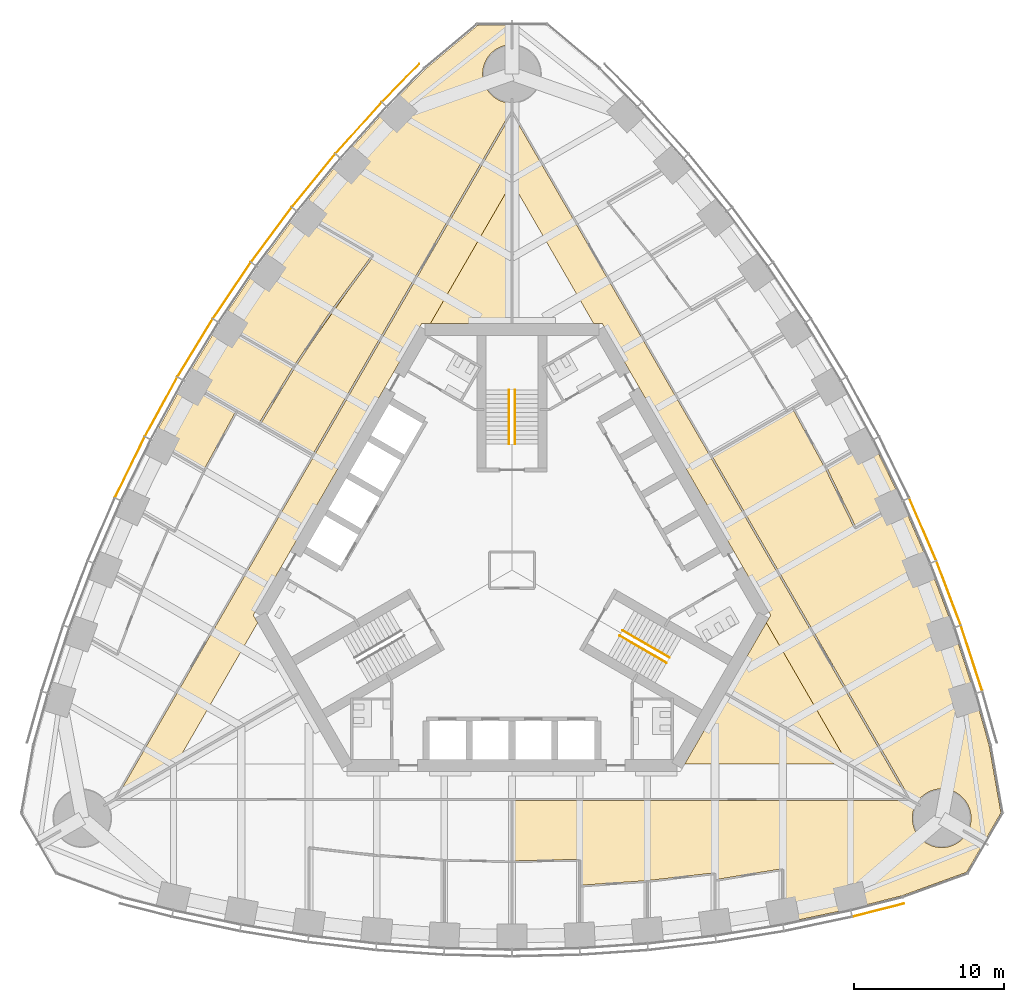
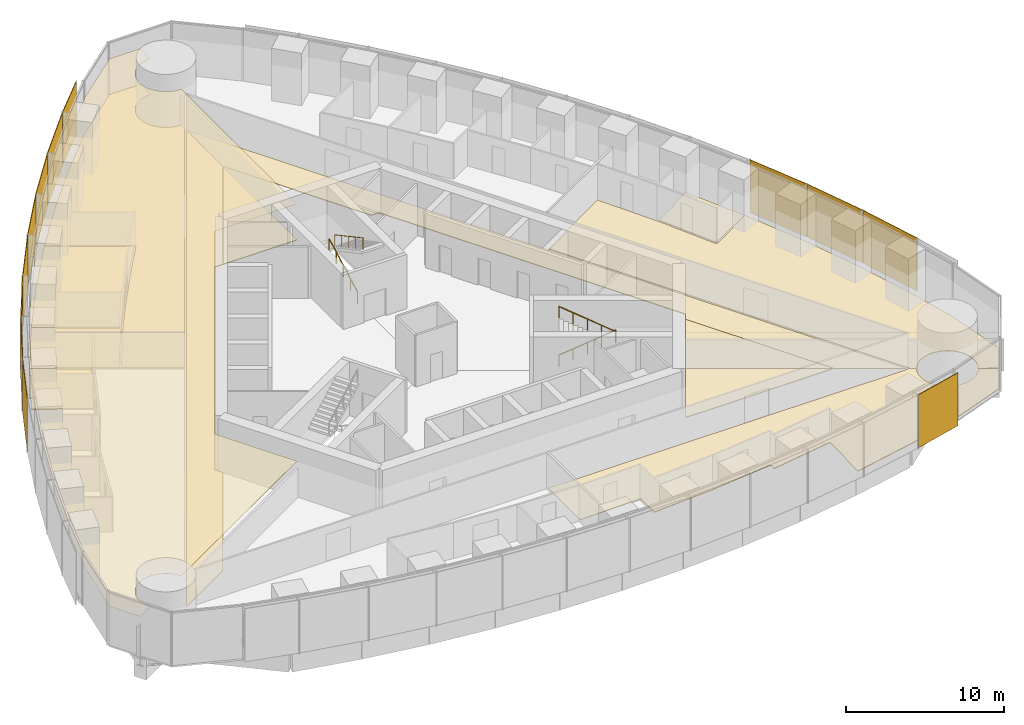
# One storey, part 16 of 19: 13 coverings, 12 shading devices, 4 railings.
"""IFC4 building model written with IfcOpenShell, lengths in metres."""

import ifcopenshell
import ifcopenshell.guid

model = None  # the IFC model being written
_history = None  # IfcOwnerHistory: only IFC2X3 demands one
_inside = {}  # id of a spatial element -> (the spatial element, [elements in it])
_under = {}  # id of a project, library or spatial element -> (it, [spatial elements below it])
_declared = {}  # id of a project -> (the project, [libraries it declares])
_typed = {}  # id of a type object -> (the type object, [elements of that type])
_made_of = {}  # id of a material, layer set ... -> (it, [elements and type objects made of it])


def new_model(schema):
    """Start an empty IFC model of exactly this schema.

    Asked for "IFC4X3", IfcOpenShell would pick the latest addendum, in which some entities
    have other attributes; the version numbers below select the first issue.
    IFC2X3 requires an IfcOwnerHistory on every rooted entity: one is made here for all.
    """
    global model, _history
    if schema == "IFC4X3":
        model = ifcopenshell.file(schema_version=(4, 3, 0, 0))
    else:
        model = ifcopenshell.file(schema=schema)
    _inside.clear()
    _under.clear()
    _declared.clear()
    _typed.clear()
    _made_of.clear()
    _history = None
    if model.schema == "IFC2X3":
        org = make("IfcOrganization", Name="unknown")
        user = make(
            "IfcPersonAndOrganization",
            ThePerson=make("IfcPerson", FamilyName="unknown"),
            TheOrganization=org,
        )
        app = make(
            "IfcApplication",
            ApplicationDeveloper=org,
            Version="unknown",
            ApplicationFullName="unknown",
            ApplicationIdentifier="unknown",
        )
        _history = make(
            "IfcOwnerHistory",
            OwningUser=user,
            OwningApplication=app,
            ChangeAction="ADDED",
            CreationDate=0,
        )
    return model


def make(cls, **values):
    """One entity of the class cls with the attributes given. An attribute that is None is left unset."""
    return model.create_entity(
        cls, **{name: value for name, value in values.items() if value is not None}
    )


def rooted(cls, **values):
    """An entity with a GlobalId (a new one), such as an element, a storey or a relation."""
    return make(cls, GlobalId=ifcopenshell.guid.new(), OwnerHistory=_history, **values)


def si_unit(unit_type, name, prefix=None):
    """IfcSIUnit, for example si_unit("LENGTHUNIT", "METRE", prefix="MILLI")."""
    return make("IfcSIUnit", UnitType=unit_type, Prefix=prefix, Name=name)


def assignment(units):
    """IfcUnitAssignment: the units of a project."""
    return None if units is None else make("IfcUnitAssignment", Units=units)


def point(xyz):
    """IfcCartesianPoint."""
    return None if xyz is None else make("IfcCartesianPoint", Coordinates=xyz)


def direction(xyz):
    """IfcDirection."""
    return None if xyz is None else make("IfcDirection", DirectionRatios=xyz)


def frame(location, z_axis=None, x_axis=None):
    """IfcAxis2Placement3D, a coordinate frame: its origin and axes. An axis left out is left unset."""
    return make(
        "IfcAxis2Placement3D",
        Location=point(location),
        Axis=direction(z_axis),
        RefDirection=direction(x_axis),
    )


def frame_2d(location, x_axis=None):
    """IfcAxis2Placement2D, a coordinate frame in the plane: its origin and x axis."""
    return make(
        "IfcAxis2Placement2D", Location=point(location), RefDirection=direction(x_axis)
    )


def origin():
    """The frame at (0, 0, 0) with its axes left unset."""
    return frame((0.0, 0.0, 0.0))


def origin_2d():
    """The frame at (0, 0) in the plane with its x axis left unset."""
    return frame_2d((0.0, 0.0))


def place(relative_to, where):
    """IfcLocalPlacement: puts the frame where relative to a parent placement (None: the world)."""
    return make(
        "IfcLocalPlacement", PlacementRelTo=relative_to, RelativePlacement=where
    )


def context(
    kind, dimensions, precision=None, world=None, true_north=None, identifier=None
):
    """IfcGeometricRepresentationContext, for example the 3D "Model" context."""
    return make(
        "IfcGeometricRepresentationContext",
        ContextIdentifier=identifier,
        ContextType=kind,
        CoordinateSpaceDimension=dimensions,
        Precision=precision,
        WorldCoordinateSystem=world,
        TrueNorth=true_north,
    )


def subcontext(parent, identifier, kind, view, scale=None):
    """IfcGeometricRepresentationSubContext, for example "Body" below "Model"."""
    return make(
        "IfcGeometricRepresentationSubContext",
        ContextIdentifier=identifier,
        ContextType=kind,
        ParentContext=parent,
        TargetScale=scale,
        TargetView=view,
    )


def project(units=None, contexts=None):
    """IfcProject with its units and contexts."""
    return rooted(
        "IfcProject",
        Name="project",
        RepresentationContexts=contexts,
        UnitsInContext=assignment(units),
    )


def spatial(cls, under=None, at=None, **own):
    """A site, building, storey or space (cls), placed at a placement, below another one or the project."""
    s = rooted(cls, ObjectPlacement=at, **own)
    if under is not None:
        _under.setdefault(under.id(), (under, []))[1].append(s)
    return s


def polyline(points):
    """IfcPolyline through the points."""
    return make("IfcPolyline", Points=[point(p) for p in points])


def profile(cls, at=None, kind="AREA", **sizes):
    """A parametric profile (cls). Its sizes go by their IFC names, for example OverallWidth=200.0."""
    return make(cls, ProfileType=kind, Position=at, **sizes)


def rectangle(**sizes):
    """IfcRectangleProfileDef."""
    return profile("IfcRectangleProfileDef", **sizes)


def circle(**sizes):
    """IfcCircleProfileDef."""
    return profile("IfcCircleProfileDef", **sizes)


def outline(outer, holes=None, kind="AREA"):
    """IfcArbitraryClosedProfileDef: a profile drawn as a closed curve; with holes, ...WithVoids."""
    if holes is None:
        return make("IfcArbitraryClosedProfileDef", ProfileType=kind, OuterCurve=outer)
    return make(
        "IfcArbitraryProfileDefWithVoids",
        ProfileType=kind,
        OuterCurve=outer,
        InnerCurves=holes,
    )


def extrude(swept, where, along, depth):
    """IfcExtrudedAreaSolid: the profile swept, set in the frame where, extruded along a direction by depth."""
    return make(
        "IfcExtrudedAreaSolid",
        SweptArea=swept,
        Position=where,
        ExtrudedDirection=direction(along),
        Depth=depth,
    )


def shape(context_of_items, identifier, shape_type, items):
    """IfcShapeRepresentation: the items that make up one representation, for example the "Body"."""
    return make(
        "IfcShapeRepresentation",
        ContextOfItems=context_of_items,
        RepresentationIdentifier=identifier,
        RepresentationType=shape_type,
        Items=items,
    )


def material(Name=None, Category=None):
    """IfcMaterial."""
    return make("IfcMaterial", Name=Name, Category=Category)


def layer(
    of_material, thickness, ventilated=None, Name=None, Category=None, Priority=None
):
    """IfcMaterialLayer: one layer of a wall or slab, of a material (None: an air gap)."""
    return make(
        "IfcMaterialLayer",
        Material=of_material,
        LayerThickness=thickness,
        IsVentilated=ventilated,
        Name=Name,
        Category=Category,
        Priority=Priority,
    )


def layer_set(layers, Name=None):
    """IfcMaterialLayerSet."""
    return make("IfcMaterialLayerSet", MaterialLayers=layers, LayerSetName=Name)


def made_of(thing, what):
    """Note that an element or type object is made of a material, layer set ...; save() writes the relation."""
    if what is not None:
        _made_of.setdefault(what.id(), (what, []))[1].append(thing)
    return thing


def type_object(cls, material=None, **own):
    """A type object (cls), such as IfcWallType, which elements share."""
    return made_of(rooted(cls, **own), material)


def element(
    cls,
    number,
    at=None,
    inside=None,
    cuts=None,
    type_object=None,
    material=None,
    context=None,
    identifier="Body",
    shape_type=None,
    held_by="IfcProductDefinitionShape",
    body=None,
    shapes=None,
    **own,
):
    """One element of the class cls, such as IfcWall. Its Tag is "e" and its number.

    at: its placement. inside: the storey or other place that contains it. cuts: it is an
    opening in that element (IfcRelVoidsElement). A single representation is given by context,
    identifier, shape_type and body (its items); several are given by shapes. held_by: the class
    of the entity that holds the representations. save() writes the other relations.
    """
    e = rooted(cls, Tag="e%d" % number, ObjectPlacement=at, **own)
    if body is not None:
        shapes = [shape(context, identifier, shape_type, body)]
    if shapes is not None:
        e.Representation = make(held_by, Representations=shapes)
    if inside is not None:
        _inside.setdefault(inside.id(), (inside, []))[1].append(e)
    if cuts is not None:
        rooted(
            "IfcRelVoidsElement", RelatingBuildingElement=cuts, RelatedOpeningElement=e
        )
    if type_object is not None:
        _typed.setdefault(type_object.id(), (type_object, []))[1].append(e)
    return made_of(e, material)


def aggregate(whole, parts):
    """IfcRelAggregates: a whole, such as a stair, and the parts it consists of."""
    return rooted("IfcRelAggregates", RelatingObject=whole, RelatedObjects=parts)


def save(model, path):
    """Write the relations noted so far, then the file.

    IfcRelAggregates (storeys below a building ...), IfcRelContainedInSpatialStructure (elements
    in a storey), IfcRelDefinesByType, IfcRelAssociatesMaterial and IfcRelDeclares: one each for
    every whole, place, type object, material and project.
    """
    for whole, parts in _under.values():
        aggregate(whole, parts)
    for where, things in _inside.values():
        rooted(
            "IfcRelContainedInSpatialStructure",
            RelatedElements=things,
            RelatingStructure=where,
        )
    for kind, things in _typed.values():
        rooted("IfcRelDefinesByType", RelatedObjects=things, RelatingType=kind)
    for what, things in _made_of.values():
        rooted("IfcRelAssociatesMaterial", RelatedObjects=things, RelatingMaterial=what)
    for by, libraries in _declared.values():
        rooted("IfcRelDeclares", RelatingContext=by, RelatedDefinitions=libraries)
    model.write(path)


model = new_model("IFC4")

# Units and contexts
model_context = context("Model", 3, precision=1e-05, world=origin(), true_north=direction((0.0, 1.0)))
body_context = subcontext(model_context, "Body", "Model", "MODEL_VIEW")
ifc_project = project(units=[si_unit("LENGTHUNIT", "METRE"), si_unit("AREAUNIT", "SQUARE_METRE"), si_unit("VOLUMEUNIT", "CUBIC_METRE"), si_unit("PLANEANGLEUNIT", "RADIAN"), si_unit("MASSUNIT", "GRAM", prefix="KILO")], contexts=[model_context])

# Site, building, storey
site_placement = place(None, origin())
site = spatial("IfcSite", under=ifc_project, at=site_placement, CompositionType="ELEMENT")
building_placement = place(site_placement, origin())
building = spatial("IfcBuilding", under=site, at=building_placement, Name="Trefoil Bronze Tower", CompositionType="ELEMENT")
storey_placement = place(building_placement, frame((0.0, 0.0, 193.89990234375)))
storey = spatial("IfcBuildingStorey", under=building, at=storey_placement, Name="L44", CompositionType="ELEMENT", Elevation=193.89990234375)

# Shading devices
ifc_material_1 = material(Name="Perforated bronze sheet", Category="bronze")
ifc_layer_1 = layer(ifc_material_1, 0.0400390625)
ifc_layer_set_1 = layer_set([ifc_layer_1], Name="Bronze solar screen panel")
shading_device_type = type_object("IfcShadingDeviceType", Name="Bronze solar screen panel", PredefinedType="SHUTTER", material=ifc_layer_set_1)
shading_device_1_placement = place(storey_placement, frame((24.360107421875, -22.614501953125, 0.050048828125), z_axis=(0.0, 0.0, 1.0), x_axis=(0.968934035393, 0.247319297786, 0.0)))
element("IfcShadingDevice", 1, at=shading_device_1_placement, inside=storey, type_object=shading_device_type, Name="Solar screen CW-A L44 F1 bay 12", PredefinedType="SHUTTER", context=body_context, shape_type="SweptSolid", body=[
    extrude(rectangle(XDim=3.53369140625, YDim=0.0400390625, at=origin_2d()), origin(), (0.0, 0.0, 1.0), 4.10009765625),
])
shading_device_2_placement = place(storey_placement, frame((30.5634765625, -5.86572265625, 0.050048828125), z_axis=(0.0, 0.0, 1.0), x_axis=(-0.310148591821, 0.950688093431, 0.0)))
element("IfcShadingDevice", 2, at=shading_device_2_placement, inside=storey, type_object=shading_device_type, Name="Solar screen CW-A L44 F2 bay 2", PredefinedType="SHUTTER", context=body_context, shape_type="SweptSolid", body=[
    extrude(rectangle(XDim=4.5693359375, YDim=0.0400390625, at=origin_2d()), origin(), (0.0, 0.0, 1.0), 4.10009765625),
])
shading_device_3_placement = place(storey_placement, frame((29.0341796875, -1.52392578125, 0.050048828125), z_axis=(0.0, 0.0, 1.0), x_axis=(-0.354233936517, 0.935156841508, 0.0)))
element("IfcShadingDevice", 3, at=shading_device_3_placement, inside=storey, type_object=shading_device_type, Name="Solar screen CW-A L44 F2 bay 3", PredefinedType="SHUTTER", context=body_context, shape_type="SweptSolid", body=[
    extrude(rectangle(XDim=4.529296875, YDim=0.0400390625, at=origin_2d()), origin(), (0.0, 0.0, 1.0), 4.10009765625),
])
shading_device_4_placement = place(storey_placement, frame((27.317626953125, 2.709716796875, 0.050048828125), z_axis=(0.0, 0.0, 1.0), x_axis=(-0.397220305764, 0.917723285467, 0.0)))
element("IfcShadingDevice", 4, at=shading_device_4_placement, inside=storey, type_object=shading_device_type, Name="Solar screen CW-A L44 F2 bay 4", PredefinedType="SHUTTER", context=body_context, shape_type="SweptSolid", body=[
    extrude(rectangle(XDim=4.5, YDim=0.0400390625, at=origin_2d()), origin(), (0.0, 0.0, 1.0), 4.10009765625),
])
shading_device_5_placement = place(storey_placement, frame((-7.40478515625, 32.40380859375, 0.050048828125), z_axis=(0.0, 0.0, 1.0), x_axis=(-0.698651812425, -0.715461840349, 0.0)))
element("IfcShadingDevice", 5, at=shading_device_5_placement, inside=storey, type_object=shading_device_type, Name="Solar screen CW-A L44 F3 bay 1", PredefinedType="SHUTTER", context=body_context, shape_type="SweptSolid", body=[
    extrude(rectangle(XDim=3.53369140625, YDim=0.0400390625, at=origin_2d()), origin(), (0.0, 0.0, 1.0), 4.10009765625),
])
shading_device_6_placement = place(storey_placement, frame((-10.20166015625, 29.401611328125, 0.050048828125), z_axis=(0.0, 0.0, 1.0), x_axis=(-0.668245744076, -0.743940606181, 0.0)))
element("IfcShadingDevice", 6, at=shading_device_6_placement, inside=storey, type_object=shading_device_type, Name="Solar screen CW-A L44 F3 bay 2", PredefinedType="SHUTTER", context=body_context, shape_type="SweptSolid", body=[
    extrude(rectangle(XDim=4.5693359375, YDim=0.0400390625, at=origin_2d()), origin(), (0.0, 0.0, 1.0), 4.10009765625),
])
shading_device_7_placement = place(storey_placement, frame((-13.197509765625, 25.90625, 0.050048828125), z_axis=(0.0, 0.0, 1.0), x_axis=(-0.63275261301, -0.774354008661, 0.0)))
element("IfcShadingDevice", 7, at=shading_device_7_placement, inside=storey, type_object=shading_device_type, Name="Solar screen CW-A L44 F3 bay 3", PredefinedType="SHUTTER", context=body_context, shape_type="SweptSolid", body=[
    extrude(rectangle(XDim=4.529296875, YDim=0.0400390625, at=origin_2d()), origin(), (0.0, 0.0, 1.0), 4.10009765625),
])
shading_device_8_placement = place(storey_placement, frame((-16.005615234375, 22.302734375, 0.050048828125), z_axis=(0.0, 0.0, 1.0), x_axis=(-0.596161525977, -0.802864518425, 0.0)))
element("IfcShadingDevice", 8, at=shading_device_8_placement, inside=storey, type_object=shading_device_type, Name="Solar screen CW-A L44 F3 bay 4", PredefinedType="SHUTTER", context=body_context, shape_type="SweptSolid", body=[
    extrude(rectangle(XDim=4.5, YDim=0.0400390625, at=origin_2d()), origin(), (0.0, 0.0, 1.0), 4.10009765625),
])
shading_device_9_placement = place(storey_placement, frame((-18.6298828125, 18.59326171875, 0.050048828125), z_axis=(0.0, 0.0, 1.0), x_axis=(-0.558493494706, -0.829508900718, 0.0)))
element("IfcShadingDevice", 9, at=shading_device_9_placement, inside=storey, type_object=shading_device_type, Name="Solar screen CW-A L44 F3 bay 5", PredefinedType="SHUTTER", context=body_context, shape_type="SweptSolid", body=[
    extrude(rectangle(XDim=4.480712890625, YDim=0.0400390625, at=origin_2d()), origin(), (0.0, 0.0, 1.0), 4.10009765625),
])
for number, where, z_axis, x_axis, name in (
    (10, (-21.07275390625, 14.77880859375, 0.050048828125), (0.0, 0.0, 1.0), (-0.519762112739, -0.854311035959, 0.0), "Solar screen CW-A L44 F3 bay 6"),
    (11, (-23.3349609375, 10.860107421875, 0.050048828125), (0.0, 0.0, 1.0), (-0.479974003504, -0.877282711536, 0.0), "Solar screen CW-A L44 F3 bay 7"),
):
    element("IfcShadingDevice", number, at=place(storey_placement, frame(where, z_axis=z_axis, x_axis=x_axis)), inside=storey, type_object=shading_device_type, Name=name, PredefinedType="SHUTTER", context=body_context, shape_type="SweptSolid", body=[
        extrude(rectangle(XDim=4.47119140625, YDim=0.0400390625, at=origin_2d()), origin(), (0.0, 0.0, 1.0), 4.10009765625),
    ])
shading_device_10_placement = place(storey_placement, frame((-25.4169921875, 6.83740234375, 0.050048828125), z_axis=(0.0, 0.0, 1.0), x_axis=(-0.439129033334, -0.898424004623, 0.0)))
element("IfcShadingDevice", 12, at=shading_device_10_placement, inside=storey, type_object=shading_device_type, Name="Solar screen CW-A L44 F3 bay 8", PredefinedType="SHUTTER", context=body_context, shape_type="SweptSolid", body=[
    extrude(rectangle(XDim=4.480712890625, YDim=0.0400390625, at=origin_2d()), origin(), (0.0, 0.0, 1.0), 4.10009765625),
])

# Railings
ifc_material_2 = material(Name="Steel handrail", Category="steel")
railing_type = type_object("IfcRailingType", Name="Handrail 900", PredefinedType="HANDRAIL", material=ifc_material_2)
railing_1_placement = place(storey_placement, frame((7.365966796875, -4.021728515625, 0.16162109375)))
element("IfcRailing", 13, at=railing_1_placement, inside=storey, type_object=railing_type, Name="Handrail ST1 flight 1 L44", PredefinedType="HANDRAIL", context=body_context, shape_type="SweptSolid", body=[
    extrude(circle(Radius=0.02392578125, at=origin_2d()), frame((0.0, 0.0, 0.8759765625), z_axis=(0.76250339821, -0.440245697338, 0.474101564745), x_axis=(0.500012057535, 0.866018442252, 0.0)), (0.0, 0.0, 1.0), 4.088623046875),
    extrude(circle(Radius=0.02099609375, at=origin_2d()), origin(), (0.0, 0.0, 1.0), 0.851806640625),
    extrude(circle(Radius=0.02099609375, at=origin_2d()), frame((0.779296875, -0.449951171875, 0.484619140625)), (0.0, 0.0, 1.0), 0.851806640625),
    extrude(circle(Radius=0.02099609375, at=origin_2d()), frame((1.558837890625, -0.89990234375, 0.96923828125)), (0.0, 0.0, 1.0), 0.851806640625),
    extrude(circle(Radius=0.02099609375, at=origin_2d()), frame((2.33837890625, -1.35009765625, 1.453857421875)), (0.0, 0.0, 1.0), 0.851806640625),
    extrude(circle(Radius=0.02099609375, at=origin_2d()), frame((3.11767578125, -1.800048828125, 1.9384765625)), (0.0, 0.0, 1.0), 0.851806640625),
])
railing_2_placement = place(storey_placement, frame((10.28369140625, -6.168212890625, 2.26171875)))
element("IfcRailing", 14, at=railing_2_placement, inside=storey, type_object=railing_type, Name="Handrail ST1 flight 2 L44", PredefinedType="HANDRAIL", context=body_context, shape_type="SweptSolid", body=[
    extrude(circle(Radius=0.02392578125, at=origin_2d()), frame((0.0, 0.0, 0.8759765625), z_axis=(-0.76250339821, 0.440245697338, 0.474101564745), x_axis=(-0.500012057535, -0.866018442252, 0.0)), (0.0, 0.0, 1.0), 4.088623046875),
    extrude(circle(Radius=0.02099609375, at=origin_2d()), origin(), (0.0, 0.0, 1.0), 0.851806640625),
    extrude(circle(Radius=0.02099609375, at=origin_2d()), frame((-0.779296875, 0.449951171875, 0.484619140625)), (0.0, 0.0, 1.0), 0.851806640625),
    extrude(circle(Radius=0.02099609375, at=origin_2d()), frame((-1.558837890625, 0.89990234375, 0.96923828125)), (0.0, 0.0, 1.0), 0.851806640625),
    extrude(circle(Radius=0.02099609375, at=origin_2d()), frame((-2.33837890625, 1.35009765625, 1.453857421875)), (0.0, 0.0, 1.0), 0.851806640625),
    extrude(circle(Radius=0.02099609375, at=origin_2d()), frame((-3.11767578125, 1.800048828125, 1.9384765625)), (0.0, 0.0, 1.0), 0.851806640625),
])
railing_3_placement = place(storey_placement, frame((-0.199951171875, 8.389892578125, 0.16162109375)))
element("IfcRailing", 15, at=railing_3_placement, inside=storey, type_object=railing_type, Name="Handrail ST2 flight 1 L44", PredefinedType="HANDRAIL", context=body_context, shape_type="SweptSolid", body=[
    extrude(circle(Radius=0.02392578125, at=origin_2d()), frame((0.0, 0.0, 0.8759765625), z_axis=(0.0, 0.880474934443, 0.474092701714), x_axis=(-1.0, 0.0, 0.0)), (0.0, 0.0, 1.0), 4.0888671875),
    extrude(circle(Radius=0.02099609375, at=origin_2d()), origin(), (0.0, 0.0, 1.0), 0.851806640625),
    extrude(circle(Radius=0.02099609375, at=origin_2d()), frame((0.0, 0.89990234375, 0.484619140625)), (0.0, 0.0, 1.0), 0.851806640625),
    extrude(circle(Radius=0.02099609375, at=origin_2d()), frame((0.0, 1.800048828125, 0.96923828125)), (0.0, 0.0, 1.0), 0.851806640625),
    extrude(circle(Radius=0.02099609375, at=origin_2d()), frame((0.0, 2.7001953125, 1.453857421875)), (0.0, 0.0, 1.0), 0.851806640625),
    extrude(circle(Radius=0.02099609375, at=origin_2d()), frame((0.0, 3.60009765625, 1.9384765625)), (0.0, 0.0, 1.0), 0.851806640625),
])
railing_4_placement = place(storey_placement, frame((0.199951171875, 11.989990234375, 2.26171875)))
element("IfcRailing", 16, at=railing_4_placement, inside=storey, type_object=railing_type, Name="Handrail ST2 flight 2 L44", PredefinedType="HANDRAIL", context=body_context, shape_type="SweptSolid", body=[
    extrude(circle(Radius=0.02392578125, at=origin_2d()), frame((0.0, 0.0, 0.8759765625), z_axis=(0.0, -0.880474934443, 0.474092701714), x_axis=(1.0, 0.0, 0.0)), (0.0, 0.0, 1.0), 4.0888671875),
    extrude(circle(Radius=0.02099609375, at=origin_2d()), origin(), (0.0, 0.0, 1.0), 0.851806640625),
    extrude(circle(Radius=0.02099609375, at=origin_2d()), frame((0.0, -0.89990234375, 0.484619140625)), (0.0, 0.0, 1.0), 0.851806640625),
    extrude(circle(Radius=0.02099609375, at=origin_2d()), frame((0.0, -1.800048828125, 0.96923828125)), (0.0, 0.0, 1.0), 0.851806640625),
    extrude(circle(Radius=0.02099609375, at=origin_2d()), frame((0.0, -2.7001953125, 1.453857421875)), (0.0, 0.0, 1.0), 0.851806640625),
    extrude(circle(Radius=0.02099609375, at=origin_2d()), frame((0.0, -3.60009765625, 1.9384765625)), (0.0, 0.0, 1.0), 0.851806640625),
])

# Coverings
ifc_material_3 = material(Name="Acoustic ceiling panels", Category="mineral fibre")
ifc_layer_2 = layer(ifc_material_3, 0.02001953125)
ifc_layer_set_2 = layer_set([ifc_layer_2], Name="Office ceiling 20")
covering_type_1 = type_object("IfcCoveringType", Name="Office ceiling 20", PredefinedType="CEILING", material=ifc_layer_set_2)
covering_1_placement = place(storey_placement, frame((0.0, 0.0, 2.900146484375)))
element("IfcCovering", 17, at=covering_1_placement, inside=storey, type_object=covering_type_1, Name="Ceiling L44 Open-plan office F3", PredefinedType="CEILING", context=body_context, shape_type="SweptSolid", body=[
    extrude(outline(polyline([(-30.76318359375, -8.219482421875), (-29.3369140625, -3.846923828125), (-27.7216796875, 0.416748046875), (-25.92236328125, 4.573974609375), (-23.94140625, 8.62646484375), (-21.781005859375, 12.5751953125), (-19.44140625, 16.420654296875), (-16.92236328125, 20.162353515625), (-14.2216796875, 23.79931640625), (-11.3369140625, 27.329833984375), (-8.26318359375, 30.751708984375), (-5.7734375, 33.30126953125), (-2.280029296875, 36.232666015625), (-0.013671875, 36.232666015625), (-0.01318359375, 34.94970703125), (-0.095703125, 34.94775390625), (-0.191162109375, 34.940673828125), (-0.2861328125, 34.928955078125), (-0.38037109375, 34.91259765625), (-0.473876953125, 34.8916015625), (-0.566162109375, 34.865966796875), (-0.656982421875, 34.8359375), (-0.74609375, 34.801513671875), (-0.833740234375, 34.7626953125), (-0.919189453125, 34.7197265625), (-1.00244140625, 34.672607421875), (-1.08349609375, 34.621337890625), (-1.16162109375, 34.56640625), (-1.237060546875, 34.50732421875), (-1.3095703125, 34.44482421875), (-1.37890625, 34.37890625), (-1.44482421875, 34.3095703125), (-1.50732421875, 34.237060546875), (-1.56640625, 34.16162109375), (-1.621337890625, 34.08349609375), (-1.672607421875, 34.00244140625), (-1.7197265625, 33.919189453125), (-1.7626953125, 33.833740234375), (-1.801513671875, 33.74609375), (-1.8359375, 33.656982421875), (-1.865966796875, 33.566162109375), (-1.8916015625, 33.473876953125), (-1.91259765625, 33.38037109375), (-1.928955078125, 33.2861328125), (-1.940673828125, 33.191162109375), (-1.94775390625, 33.095703125), (-1.949951171875, 33.0), (-1.94775390625, 32.904296875), (-1.940673828125, 32.808837890625), (-1.928955078125, 32.7138671875), (-1.91259765625, 32.61962890625), (-1.8916015625, 32.526123046875), (-1.865966796875, 32.433837890625), (-1.8359375, 32.343017578125), (-1.801513671875, 32.25390625), (-1.7626953125, 32.166259765625), (-1.7197265625, 32.080810546875), (-1.672607421875, 31.99755859375), (-1.621337890625, 31.91650390625), (-1.56640625, 31.83837890625), (-1.50732421875, 31.762939453125), (-1.44482421875, 31.6904296875), (-1.37890625, 31.62109375), (-1.3095703125, 31.55517578125), (-1.237060546875, 31.49267578125), (-1.16162109375, 31.43359375), (-1.08349609375, 31.378662109375), (-1.00244140625, 31.327392578125), (-0.919189453125, 31.2802734375), (-0.833740234375, 31.2373046875), (-0.74609375, 31.198486328125), (-0.656982421875, 31.1640625), (-0.566162109375, 31.134033203125), (-0.473876953125, 31.1083984375), (-0.38037109375, 31.08740234375), (-0.2861328125, 31.071044921875), (-0.191162109375, 31.059326171875), (-0.095703125, 31.05224609375), (-0.01171875, 31.05029296875), (-0.006103515625, 16.39990234375), (-6.00439453125, 16.39990234375), (-17.205078125, -3.0), (-14.205810546875, -8.194580078125), (-26.896240234375, -15.51513671875), (-26.95751953125, -15.41650390625), (-27.0126953125, -15.33837890625), (-27.071533203125, -15.262939453125), (-27.134033203125, -15.1904296875), (-27.199951171875, -15.12109375), (-27.269287109375, -15.05517578125), (-27.341796875, -14.99267578125), (-27.417236328125, -14.93359375), (-27.49560546875, -14.878662109375), (-27.576416015625, -14.827392578125), (-27.65966796875, -14.7802734375), (-27.7451171875, -14.7373046875), (-27.83251953125, -14.698486328125), (-27.921875, -14.6640625), (-28.0126953125, -14.634033203125), (-28.10498046875, -14.6083984375), (-28.198486328125, -14.58740234375), (-28.292724609375, -14.571044921875), (-28.3876953125, -14.559326171875), (-28.483154296875, -14.55224609375), (-28.578857421875, -14.550048828125), (-28.674560546875, -14.55224609375), (-28.77001953125, -14.559326171875), (-28.864990234375, -14.571044921875), (-28.959228515625, -14.58740234375), (-29.052490234375, -14.6083984375), (-29.14501953125, -14.634033203125), (-29.23583984375, -14.6640625), (-29.3251953125, -14.698486328125), (-29.41259765625, -14.7373046875), (-29.498046875, -14.7802734375), (-29.581298828125, -14.827392578125), (-29.662109375, -14.878662109375), (-29.740478515625, -14.93359375), (-29.81591796875, -14.99267578125), (-29.888427734375, -15.05517578125), (-29.957763671875, -15.12109375), (-30.023681640625, -15.1904296875), (-30.086181640625, -15.262939453125), (-30.14501953125, -15.33837890625), (-30.2001953125, -15.41650390625), (-30.25146484375, -15.49755859375), (-30.298583984375, -15.580810546875), (-30.341552734375, -15.666259765625), (-30.38037109375, -15.75390625), (-30.414794921875, -15.843017578125), (-30.44482421875, -15.933837890625), (-30.470458984375, -16.026123046875), (-30.491455078125, -16.11962890625), (-30.5078125, -16.2138671875), (-30.519287109375, -16.308837890625), (-30.526611328125, -16.404296875), (-30.52880859375, -16.5), (-30.526611328125, -16.595703125), (-30.519287109375, -16.691162109375), (-30.5078125, -16.7861328125), (-30.491455078125, -16.88037109375), (-30.470458984375, -16.973876953125), (-30.44482421875, -17.066162109375), (-30.414794921875, -17.156982421875), (-30.38037109375, -17.24609375), (-30.341552734375, -17.333740234375), (-30.298583984375, -17.419189453125), (-30.273681640625, -17.46337890625), (-31.385009765625, -18.1044921875), (-32.518310546875, -16.1416015625), (-31.7265625, -11.650634765625), (-30.76318359375, -8.219482421875)])), origin(), (0.0, 0.0, 1.0), 0.02001953125),
])
ifc_material_4 = material(Name="Raised access floor panels", Category="steel")
ifc_layer_3 = layer(ifc_material_4, 0.050048828125)
ifc_layer_set_3 = layer_set([ifc_layer_3], Name="Raised access floor 150")
covering_type_2 = type_object("IfcCoveringType", Name="Raised access floor 150", PredefinedType="FLOORING", material=ifc_layer_set_3)
covering_2_placement = place(storey_placement, frame((0.0, 0.0, 0.10009765625)))
element("IfcCovering", 18, at=covering_2_placement, inside=storey, type_object=covering_type_2, Name="Raised floor L44 Open-plan office F1", PredefinedType="FLOORING", context=body_context, shape_type="SweptSolid", body=[
    extrude(outline(polyline([(18.0, -21.82470703125), (18.06005859375, -21.82470703125), (18.06005859375, -19.91796875), (18.0, -19.91796875), (17.990478515625, -19.858642578125), (13.56005859375, -20.58056640625), (13.56005859375, -20.191162109375), (13.5, -20.191162109375), (13.4931640625, -20.131591796875), (8.994384765625, -20.651611328125), (4.56005859375, -20.9580078125), (4.56005859375, -19.297119140625), (4.5, -19.297119140625), (4.49853515625, -19.2373046875), (0.074951171875, -19.3388671875), (0.074951171875, -15.320068359375), (26.398193359375, -15.320068359375), (26.398193359375, -15.254150390625), (26.884765625, -15.535400390625), (26.859130859375, -15.580810546875), (26.816162109375, -15.666259765625), (26.77734375, -15.75390625), (26.742919921875, -15.843017578125), (26.712890625, -15.933837890625), (26.687255859375, -16.026123046875), (26.666259765625, -16.11962890625), (26.64990234375, -16.2138671875), (26.63818359375, -16.308837890625), (26.631103515625, -16.404296875), (26.62890625, -16.5), (26.631103515625, -16.595703125), (26.63818359375, -16.691162109375), (26.64990234375, -16.7861328125), (26.666259765625, -16.88037109375), (26.687255859375, -16.973876953125), (26.712890625, -17.066162109375), (26.742919921875, -17.156982421875), (26.77734375, -17.24609375), (26.816162109375, -17.333740234375), (26.859130859375, -17.419189453125), (26.90625, -17.50244140625), (26.95751953125, -17.58349609375), (27.0126953125, -17.66162109375), (27.071533203125, -17.737060546875), (27.134033203125, -17.8095703125), (27.199951171875, -17.87890625), (27.269287109375, -17.94482421875), (27.341796875, -18.00732421875), (27.417236328125, -18.06640625), (27.49560546875, -18.121337890625), (27.576416015625, -18.172607421875), (27.65966796875, -18.2197265625), (27.7451171875, -18.2626953125), (27.83251953125, -18.301513671875), (27.921875, -18.3359375), (28.0126953125, -18.365966796875), (28.10498046875, -18.3916015625), (28.198486328125, -18.41259765625), (28.292724609375, -18.428955078125), (28.3876953125, -18.440673828125), (28.483154296875, -18.44775390625), (28.578857421875, -18.449951171875), (28.674560546875, -18.44775390625), (28.77001953125, -18.440673828125), (28.864990234375, -18.428955078125), (28.959228515625, -18.41259765625), (29.052490234375, -18.3916015625), (29.14501953125, -18.365966796875), (29.23583984375, -18.3359375), (29.3251953125, -18.301513671875), (29.41259765625, -18.2626953125), (29.498046875, -18.2197265625), (29.581298828125, -18.172607421875), (29.662109375, -18.121337890625), (29.740478515625, -18.06640625), (29.81591796875, -18.00732421875), (29.888427734375, -17.94482421875), (29.957763671875, -17.87890625), (30.023681640625, -17.8095703125), (30.086181640625, -17.737060546875), (30.14501953125, -17.66162109375), (30.2001953125, -17.58349609375), (30.2607421875, -17.486083984375), (31.37158203125, -18.1279296875), (30.23828125, -20.0908203125), (25.952880859375, -21.650634765625), (22.5, -22.531982421875), (18.0, -23.48291015625), (18.0, -21.82470703125)])), origin(), (0.0, 0.0, 1.0), 0.050048828125),
])
covering_3_placement = place(storey_placement, frame((0.0, 0.0, 0.10009765625)))
element("IfcCovering", 19, at=covering_3_placement, inside=storey, type_object=covering_type_2, Name="Raised floor L44 Open-plan office F1", PredefinedType="FLOORING", context=body_context, shape_type="SweptSolid", body=[
    extrude(outline(polyline([(14.19970703125, -8.205322265625), (22.32421875, -12.89990234375), (11.4892578125, -12.89990234375), (14.19970703125, -8.205322265625)])), origin(), (0.0, 0.0, 1.0), 0.050048828125),
])
covering_4_placement = place(storey_placement, frame((0.0, 0.0, 0.10009765625)))
element("IfcCovering", 20, at=covering_4_placement, inside=storey, type_object=covering_type_2, Name="Raised floor L44 Comms room F2", PredefinedType="FLOORING", context=body_context, shape_type="SweptSolid", body=[
    extrude(outline(polyline([(23.94140625, 8.62646484375), (25.92236328125, 4.573974609375), (24.504638671875, 3.755615234375), (24.474609375, 3.8076171875), (22.860595703125, 2.87548828125), (20.9326171875, 6.820068359375), (22.558349609375, 7.7587890625), (22.5283203125, 7.810546875), (23.94140625, 8.62646484375)])), origin(), (0.0, 0.0, 1.0), 0.050048828125),
])
covering_5_placement = place(storey_placement, frame((0.0, 0.0, 0.10009765625)))
element("IfcCovering", 21, at=covering_5_placement, inside=storey, type_object=covering_type_2, Name="Raised floor L44 Corridor F2", PredefinedType="FLOORING", context=body_context, shape_type="SweptSolid", body=[
    extrude(outline(polyline([(26.31591796875, -15.180419921875), (22.333740234375, -12.88330078125), (16.91650390625, -3.5), (17.205078125, -3.0), (6.00439453125, 16.39990234375), (5.427001953125, 16.39990234375), (0.009765625, 25.783203125), (0.011474609375, 30.38037109375), (26.31591796875, -15.180419921875)])), origin(), (0.0, 0.0, 1.0), 0.050048828125),
])
covering_6_placement = place(storey_placement, frame((0.0, 0.0, 0.10009765625)))
element("IfcCovering", 22, at=covering_6_placement, inside=storey, type_object=covering_type_2, Name="Raised floor L44 Open-plan office F2", PredefinedType="FLOORING", context=body_context, shape_type="SweptSolid", body=[
    extrude(outline(polyline([(16.91650390625, -3.5), (22.333740234375, -12.88330078125), (14.205810546875, -8.194580078125), (16.91650390625, -3.5)])), origin(), (0.0, 0.0, 1.0), 0.050048828125),
])
covering_7_placement = place(storey_placement, frame((0.0, 0.0, 0.10009765625)))
element("IfcCovering", 23, at=covering_7_placement, inside=storey, type_object=covering_type_2, Name="Raised floor L44 Open-plan office F2", PredefinedType="FLOORING", context=body_context, shape_type="SweptSolid", body=[
    extrude(outline(polyline([(26.40966796875, -15.234375), (26.466552734375, -15.201416015625), (13.304931640625, 7.594970703125), (18.677734375, 10.697021484375), (20.80078125, 6.81640625), (22.781005859375, 2.76513671875), (22.8349609375, 2.79150390625), (22.864990234375, 2.739501953125), (24.53466796875, 3.70361328125), (24.504638671875, 3.755615234375), (25.92236328125, 4.573974609375), (27.7216796875, 0.416748046875), (29.3369140625, -3.846923828125), (30.76318359375, -8.219482421875), (31.7265625, -11.650634765625), (32.518310546875, -16.1416015625), (31.385009765625, -18.1044921875), (30.273681640625, -17.46337890625), (30.298583984375, -17.419189453125), (30.341552734375, -17.333740234375), (30.38037109375, -17.24609375), (30.414794921875, -17.156982421875), (30.44482421875, -17.066162109375), (30.470458984375, -16.973876953125), (30.491455078125, -16.88037109375), (30.5078125, -16.7861328125), (30.519287109375, -16.691162109375), (30.526611328125, -16.595703125), (30.52880859375, -16.5), (30.526611328125, -16.404296875), (30.519287109375, -16.308837890625), (30.5078125, -16.2138671875), (30.491455078125, -16.11962890625), (30.470458984375, -16.026123046875), (30.44482421875, -15.933837890625), (30.414794921875, -15.843017578125), (30.38037109375, -15.75390625), (30.341552734375, -15.666259765625), (30.298583984375, -15.580810546875), (30.25146484375, -15.49755859375), (30.2001953125, -15.41650390625), (30.14501953125, -15.33837890625), (30.086181640625, -15.262939453125), (30.023681640625, -15.1904296875), (29.957763671875, -15.12109375), (29.888427734375, -15.05517578125), (29.81591796875, -14.99267578125), (29.740478515625, -14.93359375), (29.662109375, -14.878662109375), (29.581298828125, -14.827392578125), (29.498046875, -14.7802734375), (29.41259765625, -14.7373046875), (29.3251953125, -14.698486328125), (29.23583984375, -14.6640625), (29.14501953125, -14.634033203125), (29.052490234375, -14.6083984375), (28.959228515625, -14.58740234375), (28.864990234375, -14.571044921875), (28.77001953125, -14.559326171875), (28.674560546875, -14.55224609375), (28.578857421875, -14.550048828125), (28.483154296875, -14.55224609375), (28.3876953125, -14.559326171875), (28.292724609375, -14.571044921875), (28.198486328125, -14.58740234375), (28.10498046875, -14.6083984375), (28.0126953125, -14.634033203125), (27.921875, -14.6640625), (27.83251953125, -14.698486328125), (27.7451171875, -14.7373046875), (27.65966796875, -14.7802734375), (27.576416015625, -14.827392578125), (27.49560546875, -14.878662109375), (27.417236328125, -14.93359375), (27.341796875, -14.99267578125), (27.269287109375, -15.05517578125), (27.199951171875, -15.12109375), (27.134033203125, -15.1904296875), (27.071533203125, -15.262939453125), (27.0126953125, -15.33837890625), (26.95751953125, -15.41650390625), (26.896240234375, -15.51513671875), (26.40966796875, -15.234375)])), origin(), (0.0, 0.0, 1.0), 0.050048828125),
])
covering_8_placement = place(storey_placement, frame((0.0, 0.0, 0.10009765625)))
element("IfcCovering", 24, at=covering_8_placement, inside=storey, type_object=covering_type_2, Name="Raised floor L44 Kitchen and breakout F3", PredefinedType="FLOORING", context=body_context, shape_type="SweptSolid", body=[
    extrude(outline(polyline([(-16.92236328125, 20.162353515625), (-14.2216796875, 23.79931640625), (-12.796630859375, 22.9765625), (-12.82666015625, 22.924560546875), (-9.330322265625, 20.906005859375), (-11.990966796875, 17.3232421875), (-11.942626953125, 17.287353515625), (-11.992431640625, 17.32080078125), (-14.48046875, 13.625732421875), (-17.998291015625, 15.65673828125), (-18.0283203125, 15.60498046875), (-19.44140625, 16.420654296875), (-16.92236328125, 20.162353515625)])), origin(), (0.0, 0.0, 1.0), 0.050048828125),
])
covering_9_placement = place(storey_placement, frame((0.0, 0.0, 0.10009765625)))
element("IfcCovering", 25, at=covering_9_placement, inside=storey, type_object=covering_type_2, Name="Raised floor L44 Meeting room F3", PredefinedType="FLOORING", context=body_context, shape_type="SweptSolid", body=[
    extrude(outline(polyline([(-21.781005859375, 12.5751953125), (-19.44140625, 16.420654296875), (-18.0283203125, 15.60498046875), (-18.058349609375, 15.552978515625), (-14.545166015625, 13.5244140625), (-16.814453125, 9.79443359375), (-20.33203125, 11.8251953125), (-20.369384765625, 11.76025390625), (-21.781005859375, 12.5751953125)])), origin(), (0.0, 0.0, 1.0), 0.050048828125),
])
covering_10_placement = place(storey_placement, frame((0.0, 0.0, 0.10009765625)))
element("IfcCovering", 26, at=covering_10_placement, inside=storey, type_object=covering_type_2, Name="Raised floor L44 Focus room F3", PredefinedType="FLOORING", context=body_context, shape_type="SweptSolid", body=[
    extrude(outline(polyline([(-23.94140625, 8.62646484375), (-21.781005859375, 12.5751953125), (-20.369384765625, 11.76025390625), (-20.406982421875, 11.6953125), (-18.38330078125, 10.527099609375), (-20.47900390625, 6.69677734375), (-22.498291015625, 7.862548828125), (-22.5283203125, 7.810546875), (-23.94140625, 8.62646484375)])), origin(), (0.0, 0.0, 1.0), 0.050048828125),
])
covering_11_placement = place(storey_placement, frame((0.0, 0.0, 0.10009765625)))
element("IfcCovering", 27, at=covering_11_placement, inside=storey, type_object=covering_type_2, Name="Raised floor L44 Corridor F3", PredefinedType="FLOORING", context=body_context, shape_type="SweptSolid", body=[
    extrude(outline(polyline([(-0.011474609375, 30.38037109375), (-0.009765625, 25.783203125), (-5.427001953125, 16.39990234375), (-6.00439453125, 16.39990234375), (-17.205078125, -3.0), (-16.91650390625, -3.5), (-22.333740234375, -12.88330078125), (-26.31591796875, -15.180419921875), (-0.011474609375, 30.38037109375)])), origin(), (0.0, 0.0, 1.0), 0.050048828125),
])
covering_12_placement = place(storey_placement, frame((0.0, 0.0, 0.10009765625)))
element("IfcCovering", 28, at=covering_12_placement, inside=storey, type_object=covering_type_2, Name="Raised floor L44 Open-plan office F3", PredefinedType="FLOORING", context=body_context, shape_type="SweptSolid", body=[
    extrude(outline(polyline([(-0.009765625, 25.783203125), (-0.006103515625, 16.39990234375), (-5.427001953125, 16.39990234375), (-0.009765625, 25.783203125)])), origin(), (0.0, 0.0, 1.0), 0.050048828125),
])
covering_13_placement = place(storey_placement, frame((0.0, 0.0, 0.10009765625)))
element("IfcCovering", 29, at=covering_13_placement, inside=storey, type_object=covering_type_2, Name="Raised floor L44 Open-plan office F3", PredefinedType="FLOORING", context=body_context, shape_type="SweptSolid", body=[
    extrude(outline(polyline([(-11.3369140625, 27.329833984375), (-8.26318359375, 30.751708984375), (-5.7734375, 33.30126953125), (-2.280029296875, 36.232666015625), (-0.013671875, 36.232666015625), (-0.01318359375, 34.94970703125), (-0.095703125, 34.94775390625), (-0.191162109375, 34.940673828125), (-0.2861328125, 34.928955078125), (-0.38037109375, 34.91259765625), (-0.473876953125, 34.8916015625), (-0.566162109375, 34.865966796875), (-0.656982421875, 34.8359375), (-0.74609375, 34.801513671875), (-0.833740234375, 34.7626953125), (-0.919189453125, 34.7197265625), (-1.00244140625, 34.672607421875), (-1.08349609375, 34.621337890625), (-1.16162109375, 34.56640625), (-1.237060546875, 34.50732421875), (-1.3095703125, 34.44482421875), (-1.37890625, 34.37890625), (-1.44482421875, 34.3095703125), (-1.50732421875, 34.237060546875), (-1.56640625, 34.16162109375), (-1.621337890625, 34.08349609375), (-1.672607421875, 34.00244140625), (-1.7197265625, 33.919189453125), (-1.7626953125, 33.833740234375), (-1.801513671875, 33.74609375), (-1.8359375, 33.656982421875), (-1.865966796875, 33.566162109375), (-1.8916015625, 33.473876953125), (-1.91259765625, 33.38037109375), (-1.928955078125, 33.2861328125), (-1.940673828125, 33.191162109375), (-1.94775390625, 33.095703125), (-1.949951171875, 33.0), (-1.94775390625, 32.904296875), (-1.940673828125, 32.808837890625), (-1.928955078125, 32.7138671875), (-1.91259765625, 32.61962890625), (-1.8916015625, 32.526123046875), (-1.865966796875, 32.433837890625), (-1.8359375, 32.343017578125), (-1.801513671875, 32.25390625), (-1.7626953125, 32.166259765625), (-1.7197265625, 32.080810546875), (-1.672607421875, 31.99755859375), (-1.621337890625, 31.91650390625), (-1.56640625, 31.83837890625), (-1.50732421875, 31.762939453125), (-1.44482421875, 31.6904296875), (-1.37890625, 31.62109375), (-1.3095703125, 31.55517578125), (-1.237060546875, 31.49267578125), (-1.16162109375, 31.43359375), (-1.08349609375, 31.378662109375), (-1.00244140625, 31.327392578125), (-0.919189453125, 31.2802734375), (-0.833740234375, 31.2373046875), (-0.74609375, 31.198486328125), (-0.656982421875, 31.1640625), (-0.566162109375, 31.134033203125), (-0.473876953125, 31.1083984375), (-0.38037109375, 31.08740234375), (-0.2861328125, 31.071044921875), (-0.191162109375, 31.059326171875), (-0.095703125, 31.05224609375), (-0.01171875, 31.05029296875), (-0.011474609375, 30.488525390625), (-0.068359375, 30.521484375), (-13.22998046875, 7.72509765625), (-16.71044921875, 9.734375), (-14.411376953125, 13.513427734375), (-12.962890625, 15.66455078125), (-10.747314453125, 18.796630859375), (-9.19384765625, 20.888671875), (-9.2421875, 20.92431640625), (-9.212158203125, 20.976318359375), (-12.7666015625, 23.028564453125), (-12.796630859375, 22.9765625), (-14.2216796875, 23.79931640625), (-11.3369140625, 27.329833984375)])), origin(), (0.0, 0.0, 1.0), 0.050048828125),
])

save(model, "model.ifc")
